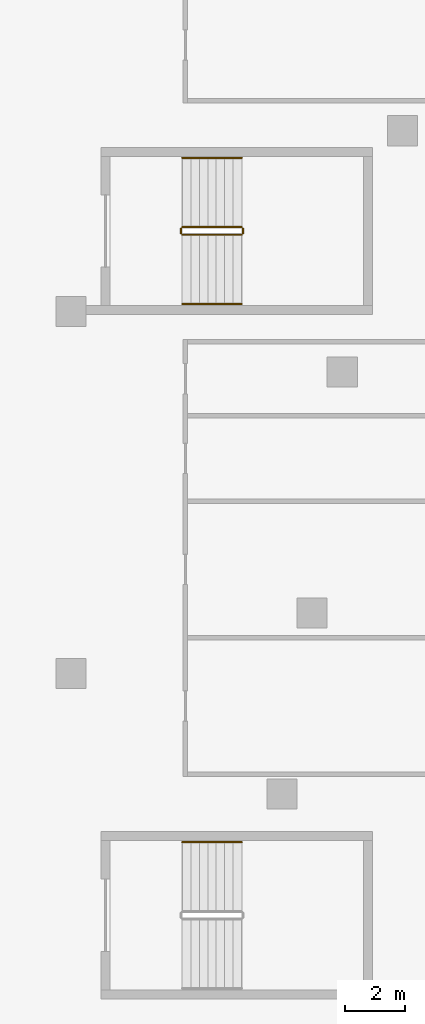
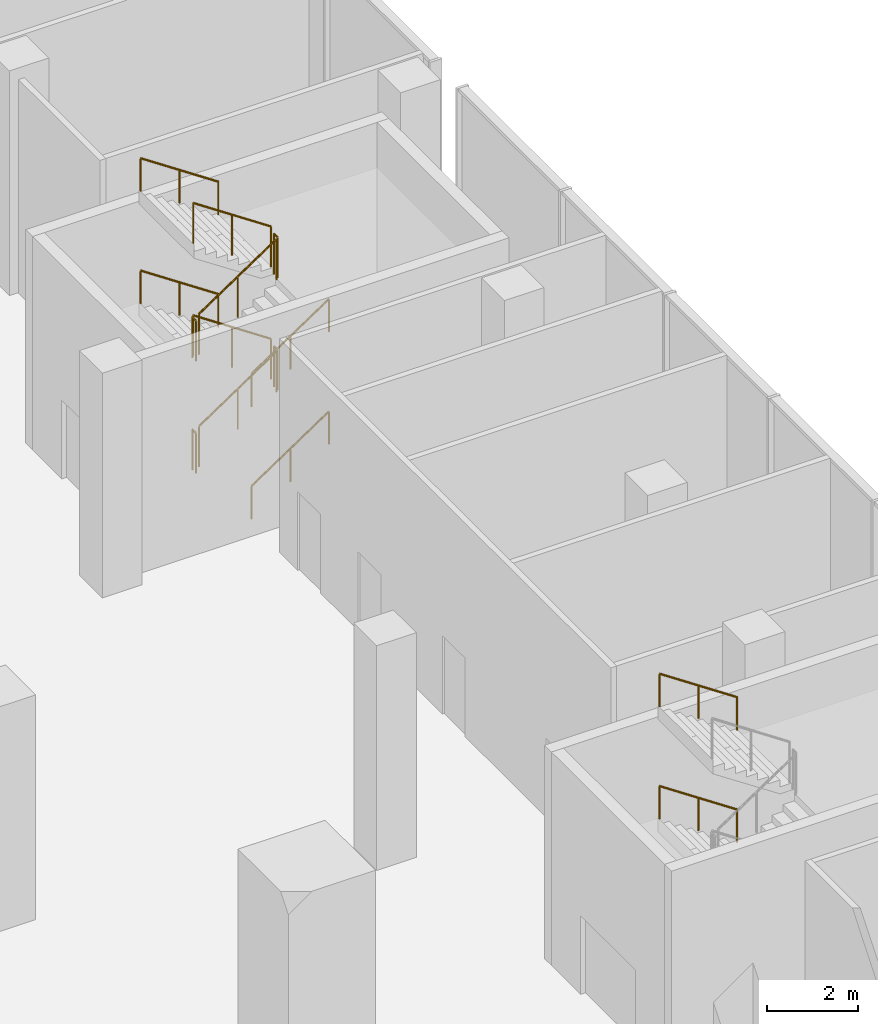
# One storey, part 28 of 30: 14 railings.
"""IFC4 building model written with IfcOpenShell, lengths in metres."""

import ifcopenshell
import ifcopenshell.guid

model = None  # the IFC model being written
_history = None  # IfcOwnerHistory: only IFC2X3 demands one
_inside = {}  # id of a spatial element -> (the spatial element, [elements in it])
_under = {}  # id of a project, library or spatial element -> (it, [spatial elements below it])
_declared = {}  # id of a project -> (the project, [libraries it declares])
_typed = {}  # id of a type object -> (the type object, [elements of that type])
_made_of = {}  # id of a material, layer set ... -> (it, [elements and type objects made of it])


def new_model(schema):
    """Start an empty IFC model of exactly this schema.

    Asked for "IFC4X3", IfcOpenShell would pick the latest addendum, in which some entities
    have other attributes; the version numbers below select the first issue.
    IFC2X3 requires an IfcOwnerHistory on every rooted entity: one is made here for all.
    """
    global model, _history
    if schema == "IFC4X3":
        model = ifcopenshell.file(schema_version=(4, 3, 0, 0))
    else:
        model = ifcopenshell.file(schema=schema)
    _inside.clear()
    _under.clear()
    _declared.clear()
    _typed.clear()
    _made_of.clear()
    _history = None
    if model.schema == "IFC2X3":
        org = make("IfcOrganization", Name="unknown")
        user = make(
            "IfcPersonAndOrganization",
            ThePerson=make("IfcPerson", FamilyName="unknown"),
            TheOrganization=org,
        )
        app = make(
            "IfcApplication",
            ApplicationDeveloper=org,
            Version="unknown",
            ApplicationFullName="unknown",
            ApplicationIdentifier="unknown",
        )
        _history = make(
            "IfcOwnerHistory",
            OwningUser=user,
            OwningApplication=app,
            ChangeAction="ADDED",
            CreationDate=0,
        )
    return model


def make(cls, **values):
    """One entity of the class cls with the attributes given. An attribute that is None is left unset."""
    return model.create_entity(
        cls, **{name: value for name, value in values.items() if value is not None}
    )


def rooted(cls, **values):
    """An entity with a GlobalId (a new one), such as an element, a storey or a relation."""
    return make(cls, GlobalId=ifcopenshell.guid.new(), OwnerHistory=_history, **values)


def si_unit(unit_type, name, prefix=None):
    """IfcSIUnit, for example si_unit("LENGTHUNIT", "METRE", prefix="MILLI")."""
    return make("IfcSIUnit", UnitType=unit_type, Prefix=prefix, Name=name)


def assignment(units):
    """IfcUnitAssignment: the units of a project."""
    return None if units is None else make("IfcUnitAssignment", Units=units)


def point(xyz):
    """IfcCartesianPoint."""
    return None if xyz is None else make("IfcCartesianPoint", Coordinates=xyz)


def direction(xyz):
    """IfcDirection."""
    return None if xyz is None else make("IfcDirection", DirectionRatios=xyz)


def frame(location, z_axis=None, x_axis=None):
    """IfcAxis2Placement3D, a coordinate frame: its origin and axes. An axis left out is left unset."""
    return make(
        "IfcAxis2Placement3D",
        Location=point(location),
        Axis=direction(z_axis),
        RefDirection=direction(x_axis),
    )


def frame_2d(location, x_axis=None):
    """IfcAxis2Placement2D, a coordinate frame in the plane: its origin and x axis."""
    return make(
        "IfcAxis2Placement2D", Location=point(location), RefDirection=direction(x_axis)
    )


def origin():
    """The frame at (0, 0, 0) with its axes left unset."""
    return frame((0.0, 0.0, 0.0))


def origin_2d():
    """The frame at (0, 0) in the plane with its x axis left unset."""
    return frame_2d((0.0, 0.0))


def place(relative_to, where):
    """IfcLocalPlacement: puts the frame where relative to a parent placement (None: the world)."""
    return make(
        "IfcLocalPlacement", PlacementRelTo=relative_to, RelativePlacement=where
    )


def context(
    kind, dimensions, precision=None, world=None, true_north=None, identifier=None
):
    """IfcGeometricRepresentationContext, for example the 3D "Model" context."""
    return make(
        "IfcGeometricRepresentationContext",
        ContextIdentifier=identifier,
        ContextType=kind,
        CoordinateSpaceDimension=dimensions,
        Precision=precision,
        WorldCoordinateSystem=world,
        TrueNorth=true_north,
    )


def subcontext(parent, identifier, kind, view, scale=None):
    """IfcGeometricRepresentationSubContext, for example "Body" below "Model"."""
    return make(
        "IfcGeometricRepresentationSubContext",
        ContextIdentifier=identifier,
        ContextType=kind,
        ParentContext=parent,
        TargetScale=scale,
        TargetView=view,
    )


def project(units=None, contexts=None):
    """IfcProject with its units and contexts."""
    return rooted(
        "IfcProject",
        Name="project",
        RepresentationContexts=contexts,
        UnitsInContext=assignment(units),
    )


def spatial(cls, under=None, at=None, **own):
    """A site, building, storey or space (cls), placed at a placement, below another one or the project."""
    s = rooted(cls, ObjectPlacement=at, **own)
    if under is not None:
        _under.setdefault(under.id(), (under, []))[1].append(s)
    return s


def profile(cls, at=None, kind="AREA", **sizes):
    """A parametric profile (cls). Its sizes go by their IFC names, for example OverallWidth=200.0."""
    return make(cls, ProfileType=kind, Position=at, **sizes)


def circle(**sizes):
    """IfcCircleProfileDef."""
    return profile("IfcCircleProfileDef", **sizes)


def extrude(swept, where, along, depth):
    """IfcExtrudedAreaSolid: the profile swept, set in the frame where, extruded along a direction by depth."""
    return make(
        "IfcExtrudedAreaSolid",
        SweptArea=swept,
        Position=where,
        ExtrudedDirection=direction(along),
        Depth=depth,
    )


def shape(context_of_items, identifier, shape_type, items):
    """IfcShapeRepresentation: the items that make up one representation, for example the "Body"."""
    return make(
        "IfcShapeRepresentation",
        ContextOfItems=context_of_items,
        RepresentationIdentifier=identifier,
        RepresentationType=shape_type,
        Items=items,
    )


def material(Name=None, Category=None):
    """IfcMaterial."""
    return make("IfcMaterial", Name=Name, Category=Category)


def made_of(thing, what):
    """Note that an element or type object is made of a material, layer set ...; save() writes the relation."""
    if what is not None:
        _made_of.setdefault(what.id(), (what, []))[1].append(thing)
    return thing


def type_object(cls, material=None, **own):
    """A type object (cls), such as IfcWallType, which elements share."""
    return made_of(rooted(cls, **own), material)


def element(
    cls,
    number,
    at=None,
    inside=None,
    cuts=None,
    type_object=None,
    material=None,
    context=None,
    identifier="Body",
    shape_type=None,
    held_by="IfcProductDefinitionShape",
    body=None,
    shapes=None,
    **own,
):
    """One element of the class cls, such as IfcWall. Its Tag is "e" and its number.

    at: its placement. inside: the storey or other place that contains it. cuts: it is an
    opening in that element (IfcRelVoidsElement). A single representation is given by context,
    identifier, shape_type and body (its items); several are given by shapes. held_by: the class
    of the entity that holds the representations. save() writes the other relations.
    """
    e = rooted(cls, Tag="e%d" % number, ObjectPlacement=at, **own)
    if body is not None:
        shapes = [shape(context, identifier, shape_type, body)]
    if shapes is not None:
        e.Representation = make(held_by, Representations=shapes)
    if inside is not None:
        _inside.setdefault(inside.id(), (inside, []))[1].append(e)
    if cuts is not None:
        rooted(
            "IfcRelVoidsElement", RelatingBuildingElement=cuts, RelatedOpeningElement=e
        )
    if type_object is not None:
        _typed.setdefault(type_object.id(), (type_object, []))[1].append(e)
    return made_of(e, material)


def aggregate(whole, parts):
    """IfcRelAggregates: a whole, such as a stair, and the parts it consists of."""
    return rooted("IfcRelAggregates", RelatingObject=whole, RelatedObjects=parts)


def save(model, path):
    """Write the relations noted so far, then the file.

    IfcRelAggregates (storeys below a building ...), IfcRelContainedInSpatialStructure (elements
    in a storey), IfcRelDefinesByType, IfcRelAssociatesMaterial and IfcRelDeclares: one each for
    every whole, place, type object, material and project.
    """
    for whole, parts in _under.values():
        aggregate(whole, parts)
    for where, things in _inside.values():
        rooted(
            "IfcRelContainedInSpatialStructure",
            RelatedElements=things,
            RelatingStructure=where,
        )
    for kind, things in _typed.values():
        rooted("IfcRelDefinesByType", RelatedObjects=things, RelatingType=kind)
    for what, things in _made_of.values():
        rooted("IfcRelAssociatesMaterial", RelatedObjects=things, RelatingMaterial=what)
    for by, libraries in _declared.values():
        rooted("IfcRelDeclares", RelatingContext=by, RelatedDefinitions=libraries)
    model.write(path)


model = new_model("IFC4")

# Units and contexts
model_context = context("Model", 3, precision=1e-05, world=origin(), true_north=direction((0.0, 1.0)))
body_context = subcontext(model_context, "Body", "Model", "MODEL_VIEW")
ifc_project = project(units=[si_unit("LENGTHUNIT", "METRE"), si_unit("AREAUNIT", "SQUARE_METRE"), si_unit("VOLUMEUNIT", "CUBIC_METRE"), si_unit("PLANEANGLEUNIT", "RADIAN"), si_unit("MASSUNIT", "GRAM", prefix="KILO")], contexts=[model_context])

# Site, building, storey
site_placement = place(None, origin())
site = spatial("IfcSite", under=ifc_project, at=site_placement, CompositionType="ELEMENT")
building_placement = place(site_placement, origin())
building = spatial("IfcBuilding", under=site, at=building_placement, Name="Wharfspan Tower", CompositionType="ELEMENT")
storey_placement = place(building_placement, frame((0.0, 0.0, 21.5)))
storey = spatial("IfcBuildingStorey", under=building, at=storey_placement, Name="L03", CompositionType="ELEMENT", Elevation=21.5)

# Railings
ifc_material = material(Name="Steel S355J2", Category="steel")
railing_type_1 = type_object("IfcRailingType", Name="Podium guard 1100", PredefinedType="GUARDRAIL", material=ifc_material)
railing_1_placement = place(storey_placement, frame((99.699951, 22.550049, 0.1875)))
element("IfcRailing", 1, at=railing_1_placement, inside=storey, type_object=railing_type_1, Name="L03 AS4 stair guard 1", PredefinedType="GUARDRAIL", context=body_context, shape_type="SweptSolid", body=[
    extrude(circle(Radius=0.023926, at=origin_2d()), frame((0.0, 0.0, 1.076172), z_axis=(0.830902, 0.0, 0.556419), x_axis=(0.0, 1.0, 0.0)), (0.0, 0.0, 1.0), 2.358887),
    extrude(circle(Radius=0.020996, at=origin_2d()), origin(), (0.0, 0.0, 1.0), 1.052002),
    extrude(circle(Radius=0.020996, at=origin_2d()), frame((0.97998, 0.0, 0.65625)), (0.0, 0.0, 1.0), 1.052002),
    extrude(circle(Radius=0.020996, at=origin_2d()), frame((1.959961, 0.0, 1.3125)), (0.0, 0.0, 1.0), 1.052002),
])
railing_2_placement = place(storey_placement, frame((101.709961, 22.600098, 1.5)))
element("IfcRailing", 2, at=railing_2_placement, inside=storey, type_object=railing_type_1, Name="L03 AS4 stair guard 2", PredefinedType="GUARDRAIL", context=body_context, shape_type="SweptSolid", body=[
    extrude(circle(Radius=0.023926, at=origin_2d()), frame((0.0, 0.0, 1.076172), z_axis=(0.0, 1.0, 0.0), x_axis=(-1.0, 0.0, 0.0)), (0.0, 0.0, 1.0), 0.149902),
    extrude(circle(Radius=0.020996, at=origin_2d()), origin(), (0.0, 0.0, 1.0), 1.052002),
    extrude(circle(Radius=0.020996, at=origin_2d()), frame((0.0, 0.149902, 0.0)), (0.0, 0.0, 1.0), 1.052002),
])
railing_3_placement = place(storey_placement, frame((101.659912, 22.800049, 1.6875)))
element("IfcRailing", 3, at=railing_3_placement, inside=storey, type_object=railing_type_1, Name="L03 AS4 stair guard 3", PredefinedType="GUARDRAIL", context=body_context, shape_type="SweptSolid", body=[
    extrude(circle(Radius=0.023926, at=origin_2d()), frame((0.0, 0.0, 1.076172), z_axis=(-0.830902, 0.0, 0.556419), x_axis=(0.0, -1.0, 0.0)), (0.0, 0.0, 1.0), 2.358887),
    extrude(circle(Radius=0.020996, at=origin_2d()), origin(), (0.0, 0.0, 1.0), 1.052002),
    extrude(circle(Radius=0.020996, at=origin_2d()), frame((-0.97998, 0.0, 0.65625)), (0.0, 0.0, 1.0), 1.052002),
    extrude(circle(Radius=0.020996, at=origin_2d()), frame((-1.959961, 0.0, 1.3125)), (0.0, 0.0, 1.0), 1.052002),
])
railing_4_placement = place(storey_placement, frame((99.649902, 22.600098, 3.0)))
element("IfcRailing", 4, at=railing_4_placement, inside=storey, type_object=railing_type_1, Name="L03 AS4 stair guard 4", PredefinedType="GUARDRAIL", context=body_context, shape_type="SweptSolid", body=[
    extrude(circle(Radius=0.023926, at=origin_2d()), frame((0.0, 0.0, 1.076172), z_axis=(0.0, 1.0, 0.0), x_axis=(-1.0, 0.0, 0.0)), (0.0, 0.0, 1.0), 0.149902),
    extrude(circle(Radius=0.020996, at=origin_2d()), origin(), (0.0, 0.0, 1.0), 1.052002),
    extrude(circle(Radius=0.020996, at=origin_2d()), frame((0.0, 0.149902, 0.0)), (0.0, 0.0, 1.0), 1.052002),
])
railing_5_placement = place(storey_placement, frame((99.699951, 22.550049, 3.1875)))
element("IfcRailing", 5, at=railing_5_placement, inside=storey, type_object=railing_type_1, Name="L03 AS4 stair guard 5", PredefinedType="GUARDRAIL", context=body_context, shape_type="SweptSolid", body=[
    extrude(circle(Radius=0.023926, at=origin_2d()), frame((0.0, 0.0, 1.076172), z_axis=(0.830902, 0.0, 0.556419), x_axis=(0.0, 1.0, 0.0)), (0.0, 0.0, 1.0), 2.358887),
    extrude(circle(Radius=0.020996, at=origin_2d()), origin(), (0.0, 0.0, 1.0), 1.052002),
    extrude(circle(Radius=0.020996, at=origin_2d()), frame((0.97998, 0.0, 0.65625)), (0.0, 0.0, 1.0), 1.052002),
    extrude(circle(Radius=0.020996, at=origin_2d()), frame((1.959961, 0.0, 1.3125)), (0.0, 0.0, 1.0), 1.052002),
])
railing_6_placement = place(storey_placement, frame((101.709961, 22.600098, 4.5)))
element("IfcRailing", 6, at=railing_6_placement, inside=storey, type_object=railing_type_1, Name="L03 AS4 stair guard 6", PredefinedType="GUARDRAIL", context=body_context, shape_type="SweptSolid", body=[
    extrude(circle(Radius=0.023926, at=origin_2d()), frame((0.0, 0.0, 1.076172), z_axis=(0.0, 1.0, 0.0), x_axis=(-1.0, 0.0, 0.0)), (0.0, 0.0, 1.0), 0.149902),
    extrude(circle(Radius=0.020996, at=origin_2d()), origin(), (0.0, 0.0, 1.0), 1.052002),
    extrude(circle(Radius=0.020996, at=origin_2d()), frame((0.0, 0.149902, 0.0)), (0.0, 0.0, 1.0), 1.052002),
])
railing_7_placement = place(storey_placement, frame((101.659912, 22.800049, 4.6875)))
element("IfcRailing", 7, at=railing_7_placement, inside=storey, type_object=railing_type_1, Name="L03 AS4 stair guard 7", PredefinedType="GUARDRAIL", context=body_context, shape_type="SweptSolid", body=[
    extrude(circle(Radius=0.023926, at=origin_2d()), frame((0.0, 0.0, 1.076172), z_axis=(-0.830902, 0.0, 0.556419), x_axis=(0.0, -1.0, 0.0)), (0.0, 0.0, 1.0), 2.358887),
    extrude(circle(Radius=0.020996, at=origin_2d()), origin(), (0.0, 0.0, 1.0), 1.052002),
    extrude(circle(Radius=0.020996, at=origin_2d()), frame((-0.97998, 0.0, 0.65625)), (0.0, 0.0, 1.0), 1.052002),
    extrude(circle(Radius=0.020996, at=origin_2d()), frame((-1.959961, 0.0, 1.3125)), (0.0, 0.0, 1.0), 1.052002),
])
railing_8_placement = place(storey_placement, frame((99.649902, 22.600098, 0.0)))
element("IfcRailing", 8, at=railing_8_placement, inside=storey, type_object=railing_type_1, Name="L03 AS4 stair guard 8", PredefinedType="GUARDRAIL", context=body_context, shape_type="SweptSolid", body=[
    extrude(circle(Radius=0.023926, at=origin_2d()), frame((0.0, 0.0, 1.076172), z_axis=(0.0, 1.0, 0.0), x_axis=(-1.0, 0.0, 0.0)), (0.0, 0.0, 1.0), 0.149902),
    extrude(circle(Radius=0.020996, at=origin_2d()), origin(), (0.0, 0.0, 1.0), 1.052002),
    extrude(circle(Radius=0.020996, at=origin_2d()), frame((0.0, 0.149902, 0.0)), (0.0, 0.0, 1.0), 1.052002),
])
railing_type_2 = type_object("IfcRailingType", Name="Podium stair handrail 900", PredefinedType="HANDRAIL", material=ifc_material)
for number, where, name in (
    (9, (101.659912, 2.399902, 1.6875), "L03 AS8 stair handrail 2"),
    (10, (101.659912, 2.399902, 4.6875), "L03 AS8 stair handrail 4"),
):
    element("IfcRailing", number, at=place(storey_placement, frame(where)), inside=storey, type_object=railing_type_2, Name=name, PredefinedType="HANDRAIL", context=body_context, shape_type="SweptSolid", body=[
        extrude(circle(Radius=0.023926, at=origin_2d()), frame((0.0, 0.0, 0.875977), z_axis=(-0.830902, 0.0, 0.556419), x_axis=(0.0, -1.0, 0.0)), (0.0, 0.0, 1.0), 2.358887),
        extrude(circle(Radius=0.020996, at=origin_2d()), origin(), (0.0, 0.0, 1.0), 0.851807),
        extrude(circle(Radius=0.020996, at=origin_2d()), frame((-0.97998, 0.0, 0.65625)), (0.0, 0.0, 1.0), 0.851807),
        extrude(circle(Radius=0.020996, at=origin_2d()), frame((-1.959961, 0.0, 1.3125)), (0.0, 0.0, 1.0), 0.851807),
    ])
railing_9_placement = place(storey_placement, frame((99.699951, 20.25, 0.1875)))
element("IfcRailing", 11, at=railing_9_placement, inside=storey, type_object=railing_type_2, Name="L03 AS4 stair handrail 1", PredefinedType="HANDRAIL", context=body_context, shape_type="SweptSolid", body=[
    extrude(circle(Radius=0.023926, at=origin_2d()), frame((0.0, 0.0, 0.875977), z_axis=(0.830902, 0.0, 0.556419), x_axis=(0.0, 1.0, 0.0)), (0.0, 0.0, 1.0), 2.358887),
    extrude(circle(Radius=0.020996, at=origin_2d()), origin(), (0.0, 0.0, 1.0), 0.851807),
    extrude(circle(Radius=0.020996, at=origin_2d()), frame((0.97998, 0.0, 0.65625)), (0.0, 0.0, 1.0), 0.851807),
    extrude(circle(Radius=0.020996, at=origin_2d()), frame((1.959961, 0.0, 1.3125)), (0.0, 0.0, 1.0), 0.851807),
])
railing_10_placement = place(storey_placement, frame((101.659912, 25.100098, 1.6875)))
element("IfcRailing", 12, at=railing_10_placement, inside=storey, type_object=railing_type_2, Name="L03 AS4 stair handrail 2", PredefinedType="HANDRAIL", context=body_context, shape_type="SweptSolid", body=[
    extrude(circle(Radius=0.023926, at=origin_2d()), frame((0.0, 0.0, 0.875977), z_axis=(-0.830902, 0.0, 0.556419), x_axis=(0.0, -1.0, 0.0)), (0.0, 0.0, 1.0), 2.358887),
    extrude(circle(Radius=0.020996, at=origin_2d()), origin(), (0.0, 0.0, 1.0), 0.851807),
    extrude(circle(Radius=0.020996, at=origin_2d()), frame((-0.97998, 0.0, 0.65625)), (0.0, 0.0, 1.0), 0.851807),
    extrude(circle(Radius=0.020996, at=origin_2d()), frame((-1.959961, 0.0, 1.3125)), (0.0, 0.0, 1.0), 0.851807),
])
railing_11_placement = place(storey_placement, frame((99.699951, 20.25, 3.1875)))
element("IfcRailing", 13, at=railing_11_placement, inside=storey, type_object=railing_type_2, Name="L03 AS4 stair handrail 3", PredefinedType="HANDRAIL", context=body_context, shape_type="SweptSolid", body=[
    extrude(circle(Radius=0.023926, at=origin_2d()), frame((0.0, 0.0, 0.875977), z_axis=(0.830902, 0.0, 0.556419), x_axis=(0.0, 1.0, 0.0)), (0.0, 0.0, 1.0), 2.358887),
    extrude(circle(Radius=0.020996, at=origin_2d()), origin(), (0.0, 0.0, 1.0), 0.851807),
    extrude(circle(Radius=0.020996, at=origin_2d()), frame((0.97998, 0.0, 0.65625)), (0.0, 0.0, 1.0), 0.851807),
    extrude(circle(Radius=0.020996, at=origin_2d()), frame((1.959961, 0.0, 1.3125)), (0.0, 0.0, 1.0), 0.851807),
])
railing_12_placement = place(storey_placement, frame((101.659912, 25.100098, 4.6875)))
element("IfcRailing", 14, at=railing_12_placement, inside=storey, type_object=railing_type_2, Name="L03 AS4 stair handrail 4", PredefinedType="HANDRAIL", context=body_context, shape_type="SweptSolid", body=[
    extrude(circle(Radius=0.023926, at=origin_2d()), frame((0.0, 0.0, 0.875977), z_axis=(-0.830902, 0.0, 0.556419), x_axis=(0.0, -1.0, 0.0)), (0.0, 0.0, 1.0), 2.358887),
    extrude(circle(Radius=0.020996, at=origin_2d()), origin(), (0.0, 0.0, 1.0), 0.851807),
    extrude(circle(Radius=0.020996, at=origin_2d()), frame((-0.97998, 0.0, 0.65625)), (0.0, 0.0, 1.0), 0.851807),
    extrude(circle(Radius=0.020996, at=origin_2d()), frame((-1.959961, 0.0, 1.3125)), (0.0, 0.0, 1.0), 0.851807),
])

save(model, "model.ifc")
